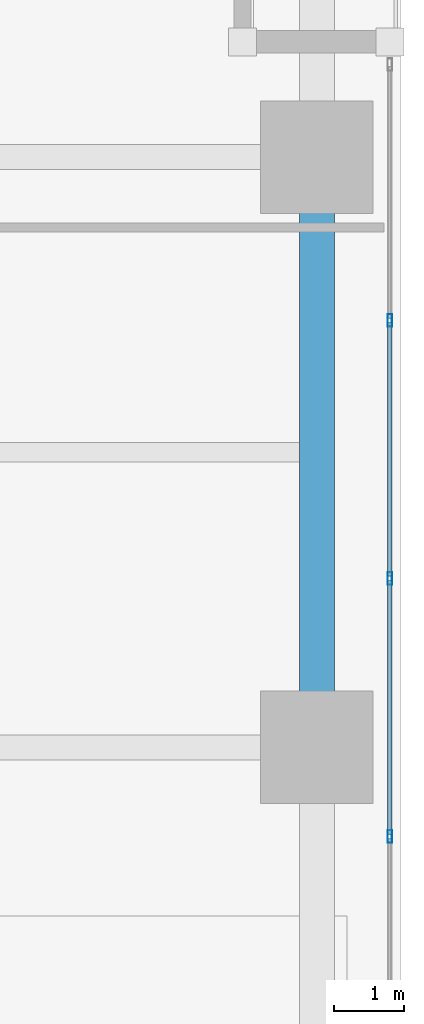
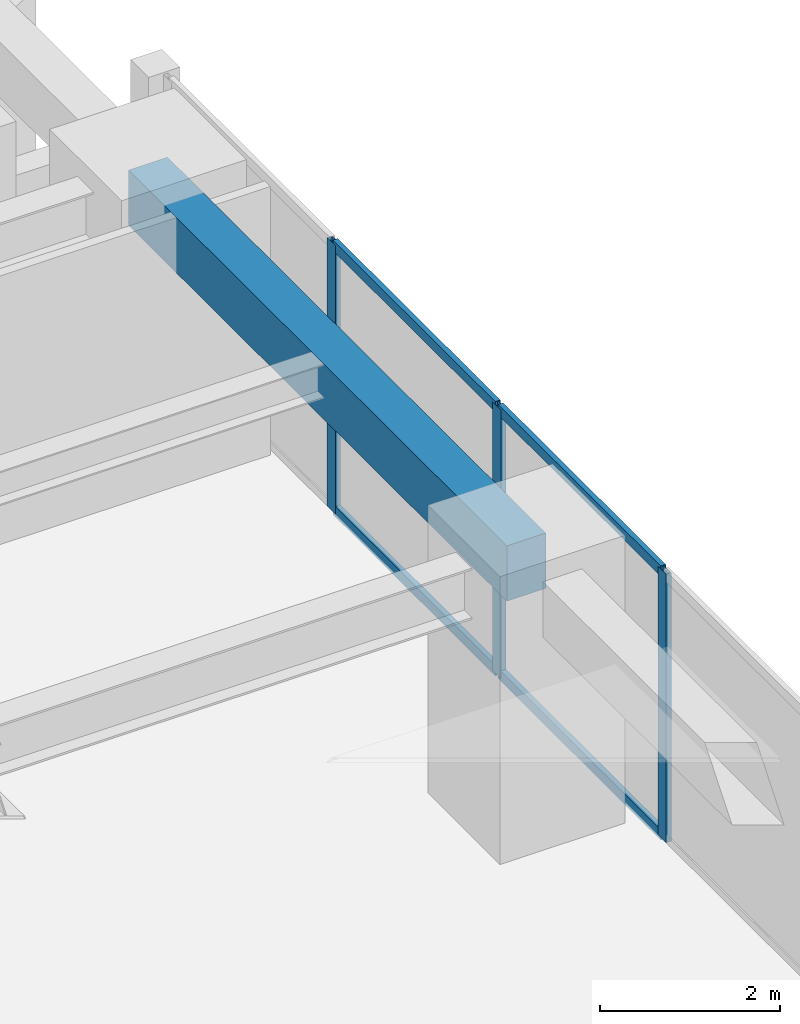
# One storey, part 8 of 29: 7 members, 1 beam, 1 element without a shape of its own.
"""IFC4 building model written with IfcOpenShell, lengths in metres."""

from ifc_helpers import new_model, si_unit, direction, frame, origin, origin_2d, place, context, subcontext, project, spatial, rectangle, hollow_rectangle, extrude, material, layer, layer_set, material_profile, profile_set, type_object, element, aggregate, save


model = new_model("IFC4")

# Units and contexts
model_context = context("Model", 3, precision=1e-05, world=origin(), true_north=direction((0.0, 1.0)))
body_context = subcontext(model_context, "Body", "Model", "MODEL_VIEW")
ifc_project = project(units=[si_unit("LENGTHUNIT", "METRE"), si_unit("AREAUNIT", "SQUARE_METRE"), si_unit("VOLUMEUNIT", "CUBIC_METRE"), si_unit("PLANEANGLEUNIT", "RADIAN"), si_unit("MASSUNIT", "GRAM", prefix="KILO")], contexts=[model_context])

# Site, building, storey
site_placement = place(None, origin())
site = spatial("IfcSite", under=ifc_project, at=site_placement, CompositionType="ELEMENT")
building_placement = place(site_placement, origin())
building = spatial("IfcBuilding", under=site, at=building_placement, Name="Kiyonajd Concourse Tower", CompositionType="ELEMENT")
storey_placement = place(building_placement, frame((0.0, 0.0, 25.5)))
storey = spatial("IfcBuildingStorey", under=building, at=storey_placement, Name="L07", CompositionType="ELEMENT", Elevation=25.5)

# Beam
ifc_material_1 = material(Name="Precast concrete C50/60", Category="concrete")
ifc_material_profile_1 = material_profile(ifc_material_1, rectangle(XDim=0.5, YDim=0.75, at=origin_2d()), Name="RCBM-500x750")
ifc_profile_set_1 = profile_set([ifc_material_profile_1], Name="Precast concrete C50/60")
beam_type = type_object("IfcBeamType", Name="BM-SPAN-RC", PredefinedType="SPANDREL", material=ifc_profile_set_1)
beam_placement = place(storey_placement, frame((78.0, 27.60009765625, 3.264892578125), z_axis=(0.0, 1.0, 0.0), x_axis=(-1.0, 0.0, 0.0)))
element("IfcBeam", 1, at=beam_placement, inside=storey, type_object=beam_type, Name="L07 Perimeter Bundled Tube Spandrel", PredefinedType="SPANDREL", context=body_context, shape_type="SweptSolid", body=[
    extrude(rectangle(XDim=0.5, YDim=0.75, at=origin_2d()), origin(), (0.0, 0.0, 1.0), 8.39990234375),
])

# Curtain wall, members
ifc_material_2 = material(Name="Thermally Broken Anodised Aluminium", Category="aluminium")
ifc_layer = layer(ifc_material_2, 0.179931640625)
ifc_layer_set = layer_set([ifc_layer], Name="Thermally Broken Anodised Aluminium")
curtain_wall_type = type_object("IfcCurtainWallType", Name="CW-SYS-02", PredefinedType="NOTDEFINED", material=ifc_layer_set)
curtain_wall_placement = place(storey_placement, origin())
curtain_wall = element("IfcCurtainWall", 2, at=curtain_wall_placement, inside=storey, type_object=curtain_wall_type, Name="L07 Unitised Curtain Wall CW2", PredefinedType="NOTDEFINED")
ifc_material_profile_2 = material_profile(ifc_material_2, hollow_rectangle(XDim=0.06494140625, YDim=0.179931640625, WallThickness=0.00390625, at=origin_2d()), Name="MULL-65x180")
ifc_profile_set_2 = profile_set([ifc_material_profile_2], Name="Thermally Broken Anodised Aluminium")
member_type_1 = type_object("IfcMemberType", Name="MB-CW-MULL1", PredefinedType="MULLION", material=ifc_profile_set_2)
member_1_placement = place(storey_placement, frame((79.0400390625, 33.6767578125, 0.0), z_axis=(0.0, 0.0, 1.0), x_axis=(1.0, 0.0, 0.0)))
member_1 = element("IfcMember", 3, at=member_1_placement, type_object=member_type_1, Name="CW2 mullion 2", PredefinedType="MULLION", context=body_context, shape_type="SweptSolid", body=[
    extrude(hollow_rectangle(XDim=0.06494140625, YDim=0.179931640625, WallThickness=0.00390625, at=origin_2d()), origin(), (0.0, 0.0, 1.0), 3.639892578125),
])
member_2_placement = place(storey_placement, frame((79.0400390625, 30.003662109375, 0.0), z_axis=(0.0, 0.0, 1.0), x_axis=(1.0, 0.0, 0.0)))
member_2 = element("IfcMember", 4, at=member_2_placement, type_object=member_type_1, Name="CW2 mullion 3", PredefinedType="MULLION", context=body_context, shape_type="SweptSolid", body=[
    extrude(hollow_rectangle(XDim=0.06494140625, YDim=0.179931640625, WallThickness=0.00390625, at=origin_2d()), origin(), (0.0, 0.0, 1.0), 3.639892578125),
])
member_3_placement = place(storey_placement, frame((79.0400390625, 26.33056640625, 0.0), z_axis=(0.0, 0.0, 1.0), x_axis=(1.0, 0.0, 0.0)))
member_3 = element("IfcMember", 5, at=member_3_placement, type_object=member_type_1, Name="CW2 mullion 4", PredefinedType="MULLION", context=body_context, shape_type="SweptSolid", body=[
    extrude(hollow_rectangle(XDim=0.06494140625, YDim=0.179931640625, WallThickness=0.00390625, at=origin_2d()), origin(), (0.0, 0.0, 1.0), 3.639892578125),
])
ifc_material_profile_3 = material_profile(ifc_material_2, hollow_rectangle(XDim=0.06494140625, YDim=0.139892578125, WallThickness=0.00390625, at=origin_2d()), Name="TRAN-65x140")
ifc_profile_set_3 = profile_set([ifc_material_profile_3], Name="Thermally Broken Anodised Aluminium")
member_type_2 = type_object("IfcMemberType", Name="MB-CW-TRAN1", PredefinedType="USERDEFINED", material=ifc_profile_set_3)
member_4_placement = place(storey_placement, frame((79.0400390625, 33.644287109375, 0.032470703125), z_axis=(0.0, -1.0, 0.0), x_axis=(1.0, 0.0, 0.0)))
member_4 = element("IfcMember", 6, at=member_4_placement, type_object=member_type_2, Name="CW2 transom 2.1", ObjectType="TRANSOM", PredefinedType="USERDEFINED", context=body_context, shape_type="SweptSolid", body=[
    extrude(hollow_rectangle(XDim=0.06494140625, YDim=0.139892578125, WallThickness=0.00390625, at=origin_2d()), origin(), (0.0, 0.0, 1.0), 3.608154296875),
])
member_5_placement = place(storey_placement, frame((79.0400390625, 33.644287109375, 3.607421875), z_axis=(0.0, -1.0, 0.0), x_axis=(1.0, 0.0, 0.0)))
member_5 = element("IfcMember", 7, at=member_5_placement, type_object=member_type_2, Name="CW2 transom 2.2", ObjectType="TRANSOM", PredefinedType="USERDEFINED", context=body_context, shape_type="SweptSolid", body=[
    extrude(hollow_rectangle(XDim=0.06494140625, YDim=0.139892578125, WallThickness=0.00390625, at=origin_2d()), origin(), (0.0, 0.0, 1.0), 3.608154296875),
])
member_6_placement = place(storey_placement, frame((79.0400390625, 29.97119140625, 0.032470703125), z_axis=(0.0, -1.0, 0.0), x_axis=(1.0, 0.0, 0.0)))
member_6 = element("IfcMember", 8, at=member_6_placement, type_object=member_type_2, Name="CW2 transom 3.1", ObjectType="TRANSOM", PredefinedType="USERDEFINED", context=body_context, shape_type="SweptSolid", body=[
    extrude(hollow_rectangle(XDim=0.06494140625, YDim=0.139892578125, WallThickness=0.00390625, at=origin_2d()), origin(), (0.0, 0.0, 1.0), 3.608154296875),
])
member_7_placement = place(storey_placement, frame((79.0400390625, 29.97119140625, 3.607421875), z_axis=(0.0, -1.0, 0.0), x_axis=(1.0, 0.0, 0.0)))
member_7 = element("IfcMember", 9, at=member_7_placement, type_object=member_type_2, Name="CW2 transom 3.2", ObjectType="TRANSOM", PredefinedType="USERDEFINED", context=body_context, shape_type="SweptSolid", body=[
    extrude(hollow_rectangle(XDim=0.06494140625, YDim=0.139892578125, WallThickness=0.00390625, at=origin_2d()), origin(), (0.0, 0.0, 1.0), 3.608154296875),
])
aggregate(curtain_wall, [member_1, member_2, member_3, member_4, member_5, member_6, member_7])

save(model, "model.ifc")
